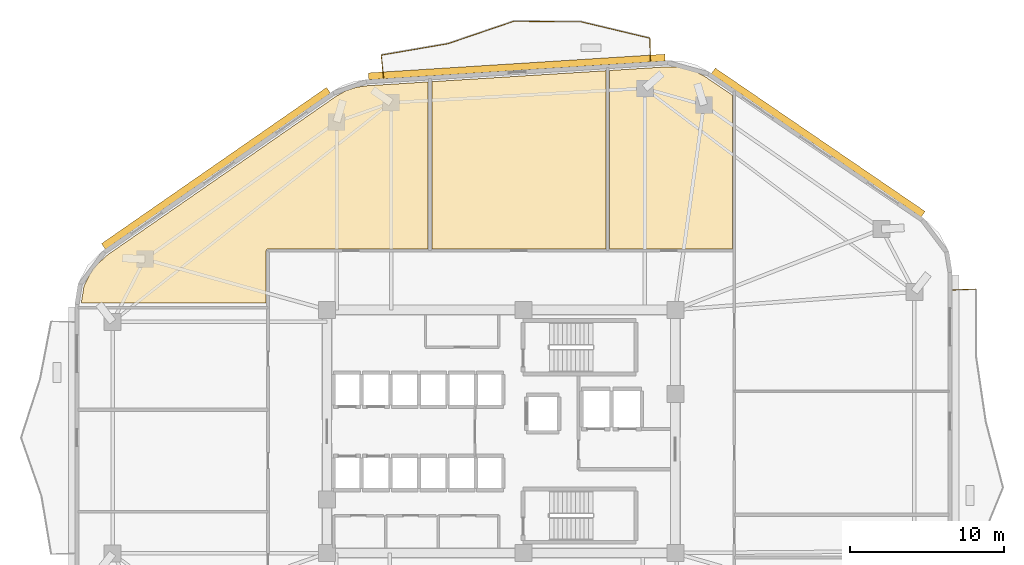
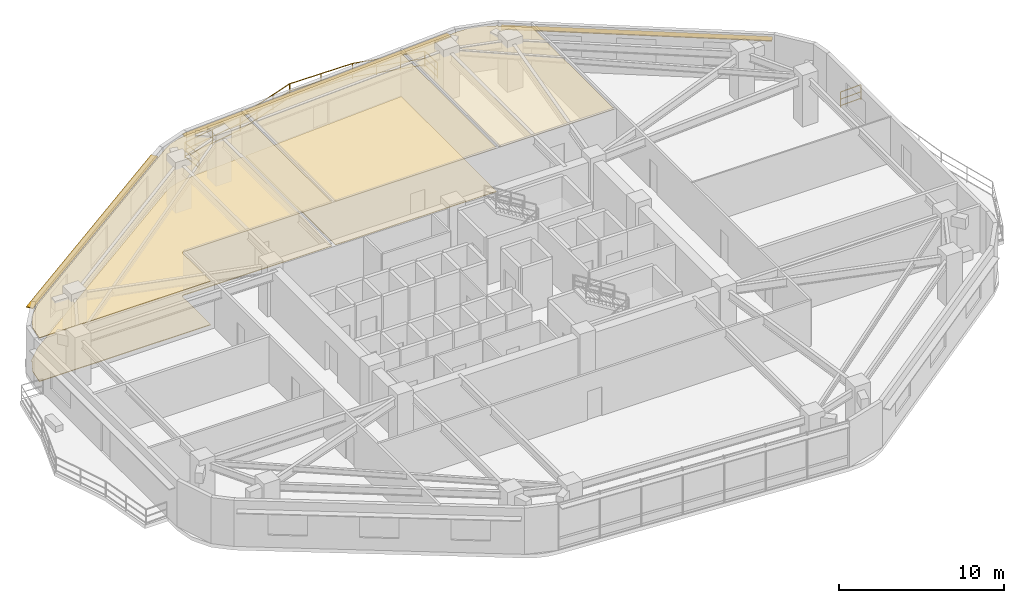
# One storey, part 12 of 12: 7 railings, 5 coverings, 3 shading devices.
"""IFC4 building model written with IfcOpenShell, lengths in metres."""

from ifc_helpers import new_model, si_unit, direction, frame, origin, origin_2d, place, context, subcontext, project, spatial, polyline, rectangle, outline, extrude, material, layer, layer_set, type_object, element, save


model = new_model("IFC4")

# Units and contexts
model_context = context("Model", 3, precision=1e-05, world=origin(), true_north=direction((0.0, 1.0)))
body_context = subcontext(model_context, "Body", "Model", "MODEL_VIEW")
ifc_project = project(units=[si_unit("LENGTHUNIT", "METRE"), si_unit("AREAUNIT", "SQUARE_METRE"), si_unit("VOLUMEUNIT", "CUBIC_METRE"), si_unit("PLANEANGLEUNIT", "RADIAN"), si_unit("MASSUNIT", "GRAM", prefix="KILO")], contexts=[model_context])

# Site, building, storey
site_placement = place(None, origin())
site = spatial("IfcSite", under=ifc_project, at=site_placement, CompositionType="ELEMENT")
building_placement = place(site_placement, origin())
building = spatial("IfcBuilding", under=site, at=building_placement, Name="Zulverin Broadcast Headquarters", CompositionType="ELEMENT")
storey_placement = place(building_placement, frame((0.0, 0.0, 116.199951171875)))
storey = spatial("IfcBuildingStorey", under=building, at=storey_placement, Name="L29", CompositionType="ELEMENT", Elevation=116.199951171875)

# Coverings
ifc_material_1 = material(Name="Perforated pale-metal acoustic baffle ceiling", Category="aluminium")
ifc_layer_1 = layer(ifc_material_1, 0.0400390625, Name="Perforated pale-metal acoustic baffle ceiling", Category="aluminium")
ifc_layer_set_1 = layer_set([ifc_layer_1], Name="Perforated pale-metal acoustic baffle ceiling")
covering_type_1 = type_object("IfcCoveringType", Name="COV-CEIL-ACOU", PredefinedType="CEILING", material=ifc_layer_set_1)
covering_1_placement = place(storey_placement, frame((0.0, 0.0, 3.219970703125)))
element("IfcCovering", 1, at=covering_1_placement, inside=storey, type_object=covering_type_1, Name="L29 Acoustic Baffle Ceiling 01", PredefinedType="CEILING", context=body_context, shape_type="SweptSolid", body=[
    extrude(outline(polyline([(11.4599609375, 36.587890625), (10.56005859375, 35.719970703125), (10.0, 34.64404296875), (9.81591796875, 33.5), (21.780029296875, 33.5), (21.780029296875, 36.867919921875), (21.780029296875, 36.8798828125), (21.783935546875, 36.89208984375), (21.783935546875, 36.89990234375), (21.7880859375, 36.912109375), (21.7919921875, 36.919921875), (21.7958984375, 36.927978515625), (21.800048828125, 36.93603515625), (21.80810546875, 36.947998046875), (21.81591796875, 36.9599609375), (21.823974609375, 36.968017578125), (21.83203125, 36.97607421875), (21.840087890625, 36.98388671875), (21.85205078125, 36.991943359375), (21.864013671875, 37.0), (21.8798828125, 37.008056640625), (21.887939453125, 37.011962890625), (21.89990234375, 37.01611328125), (21.907958984375, 37.01611328125), (21.919921875, 37.02001953125), (21.931884765625, 37.02001953125), (32.280029296875, 37.02001953125), (32.280029296875, 47.827880859375), (28.27587890625, 47.575927734375), (27.580078125, 47.468017578125), (26.927978515625, 47.243896484375), (26.31591796875, 46.89599609375), (11.4599609375, 36.587890625)])), origin(), (0.0, 0.0, 1.0), 0.0400390625),
])
covering_2_placement = place(storey_placement, frame((0.0, 0.0, 3.219970703125)))
element("IfcCovering", 2, at=covering_2_placement, inside=storey, type_object=covering_type_1, Name="L29 Acoustic Baffle Ceiling 02", PredefinedType="CEILING", context=body_context, shape_type="SweptSolid", body=[
    extrude(outline(polyline([(43.780029296875, 37.02001953125), (43.780029296875, 48.552001953125), (32.52001953125, 47.843994140625), (32.52001953125, 37.02001953125), (43.780029296875, 37.02001953125)])), origin(), (0.0, 0.0, 1.0), 0.0400390625),
])
covering_3_placement = place(storey_placement, frame((0.0, 0.0, 3.219970703125)))
element("IfcCovering", 3, at=covering_3_placement, inside=storey, type_object=covering_type_1, Name="L29 Acoustic Baffle Ceiling 03", PredefinedType="CEILING", context=body_context, shape_type="SweptSolid", body=[
    extrude(outline(polyline([(51.97998046875, 37.02001953125), (51.97998046875, 46.9599609375), (50.248046875, 48.139892578125), (49.491943359375, 48.548095703125), (48.68408203125, 48.76806640625), (47.823974609375, 48.80810546875), (44.02001953125, 48.568115234375), (44.02001953125, 37.02001953125), (51.97998046875, 37.02001953125)])), origin(), (0.0, 0.0, 1.0), 0.0400390625),
])
ifc_material_2 = material(Name="Anti-static broadcast raised access flooring", Category="stone")
ifc_layer_2 = layer(ifc_material_2, 0.050048828125, Name="Anti-static broadcast raised access flooring", Category="stone")
ifc_layer_set_2 = layer_set([ifc_layer_2], Name="Anti-static broadcast raised access flooring")
covering_type_2 = type_object("IfcCoveringType", Name="COV-FLR-RAISED", PredefinedType="FLOORING", material=ifc_layer_set_2)
covering_4_placement = place(storey_placement, origin())
element("IfcCovering", 4, at=covering_4_placement, inside=storey, type_object=covering_type_2, Name="L29 Broadcast Raised Access Flooring 01", PredefinedType="FLOORING", context=body_context, shape_type="SweptSolid", body=[
    extrude(outline(polyline([(11.4599609375, 36.587890625), (10.56005859375, 35.719970703125), (10.0, 34.64404296875), (9.81591796875, 33.5), (21.780029296875, 33.5), (21.780029296875, 36.867919921875), (21.780029296875, 36.8798828125), (21.783935546875, 36.89208984375), (21.783935546875, 36.89990234375), (21.7880859375, 36.912109375), (21.7919921875, 36.919921875), (21.7958984375, 36.927978515625), (21.800048828125, 36.93603515625), (21.80810546875, 36.947998046875), (21.81591796875, 36.9599609375), (21.823974609375, 36.968017578125), (21.83203125, 36.97607421875), (21.840087890625, 36.98388671875), (21.85205078125, 36.991943359375), (21.864013671875, 37.0), (21.8798828125, 37.008056640625), (21.887939453125, 37.011962890625), (21.89990234375, 37.01611328125), (21.907958984375, 37.01611328125), (21.919921875, 37.02001953125), (21.931884765625, 37.02001953125), (32.280029296875, 37.02001953125), (32.280029296875, 47.827880859375), (28.27587890625, 47.575927734375), (27.580078125, 47.468017578125), (26.927978515625, 47.243896484375), (26.31591796875, 46.89599609375), (11.4599609375, 36.587890625)])), origin(), (0.0, 0.0, 1.0), 0.050048828125),
])
covering_5_placement = place(storey_placement, origin())
element("IfcCovering", 5, at=covering_5_placement, inside=storey, type_object=covering_type_2, Name="L29 Broadcast Raised Access Flooring 02", PredefinedType="FLOORING", context=body_context, shape_type="SweptSolid", body=[
    extrude(outline(polyline([(43.780029296875, 37.02001953125), (43.780029296875, 48.552001953125), (32.52001953125, 47.843994140625), (32.52001953125, 37.02001953125), (43.780029296875, 37.02001953125)])), origin(), (0.0, 0.0, 1.0), 0.050048828125),
])

# Railings
ifc_material_3 = material(Name="Brushed stainless steel & laminated glass balustrade", Category="steel")
railing_type = type_object("IfcRailingType", Name="RL-GUARD-1150", PredefinedType="GUARDRAIL", material=ifc_material_3)
railing_1_placement = place(storey_placement, frame((67.705078125, 34.413818359375, 0.0)))
element("IfcRailing", 6, at=railing_1_placement, inside=storey, type_object=railing_type, Name="L29 Vertical-Forest Balcony Guardrail BAL_E Segment 06", PredefinedType="GUARDRAIL", context=body_context, shape_type="SweptSolid", body=[
    extrude(rectangle(XDim=0.048095703125, YDim=0.048095703125, at=origin_2d()), frame((0.0, 0.0, 1.1259765625), z_axis=(-0.999181155166, -0.040460093435, 0.0), x_axis=(0.040460093435, -0.999181155166, 0.0)), (0.0, 0.0, 1.0), 1.46630859375),
    extrude(rectangle(XDim=0.0419921875, YDim=0.0419921875, at=origin_2d()), frame((0.0, 0.0, 0.597900390625), z_axis=(-0.999181155166, -0.040460093435, 0.0), x_axis=(0.040460093435, -0.999181155166, 0.0)), (0.0, 0.0, 1.0), 1.46630859375),
    extrude(rectangle(XDim=0.0419921875, YDim=0.0419921875, at=origin_2d()), frame((0.0, 0.0, 0.1201171875), z_axis=(-0.999181155166, -0.040460093435, 0.0), x_axis=(0.040460093435, -0.999181155166, 0.0)), (0.0, 0.0, 1.0), 1.46630859375),
    extrude(rectangle(XDim=0.0419921875, YDim=0.0419921875, at=origin_2d()), origin(), (0.0, 0.0, 1.0), 1.101806640625),
    extrude(rectangle(XDim=0.0419921875, YDim=0.0419921875, at=origin_2d()), frame((-1.465087890625, -0.059326171875, 0.0)), (0.0, 0.0, 1.0), 1.101806640625),
])
railing_2_placement = place(storey_placement, frame((46.662841796875, 49.176025390625, 0.0)))
element("IfcRailing", 7, at=railing_2_placement, inside=storey, type_object=railing_type, Name="L29 Vertical-Forest Balcony Guardrail BAL_N Segment 01", PredefinedType="GUARDRAIL", context=body_context, shape_type="SweptSolid", body=[
    extrude(rectangle(XDim=0.048095703125, YDim=0.048095703125, at=origin_2d()), frame((0.0, 0.0, 1.1259765625), z_axis=(-0.022479328211, 0.999747307975, 0.0), x_axis=(-0.999747307975, -0.022479328211, 0.0)), (0.0, 0.0, 1.0), 1.46630859375),
    extrude(rectangle(XDim=0.0419921875, YDim=0.0419921875, at=origin_2d()), frame((0.0, 0.0, 0.597900390625), z_axis=(-0.022479328211, 0.999747307975, 0.0), x_axis=(-0.999747307975, -0.022479328211, 0.0)), (0.0, 0.0, 1.0), 1.46630859375),
    extrude(rectangle(XDim=0.0419921875, YDim=0.0419921875, at=origin_2d()), frame((0.0, 0.0, 0.1201171875), z_axis=(-0.022479328211, 0.999747307975, 0.0), x_axis=(-0.999747307975, -0.022479328211, 0.0)), (0.0, 0.0, 1.0), 1.46630859375),
    extrude(rectangle(XDim=0.0419921875, YDim=0.0419921875, at=origin_2d()), origin(), (0.0, 0.0, 1.0), 1.101806640625),
    extrude(rectangle(XDim=0.0419921875, YDim=0.0419921875, at=origin_2d()), frame((-0.032958984375, 1.4658203125, 0.0)), (0.0, 0.0, 1.0), 1.101806640625),
])
railing_3_placement = place(storey_placement, frame((46.614990234375, 50.660400390625, 0.0)))
element("IfcRailing", 8, at=railing_3_placement, inside=storey, type_object=railing_type, Name="L29 Vertical-Forest Balcony Guardrail BAL_N Segment 02", PredefinedType="GUARDRAIL", context=body_context, shape_type="SweptSolid", body=[
    extrude(rectangle(XDim=0.048095703125, YDim=0.048095703125, at=origin_2d()), frame((0.0, 0.0, 1.1259765625), z_axis=(-0.972763955958, 0.231797942158, 0.0), x_axis=(-0.231797942158, -0.972763955958, 0.0)), (0.0, 0.0, 1.0), 4.52685546875),
    extrude(rectangle(XDim=0.0419921875, YDim=0.0419921875, at=origin_2d()), frame((0.0, 0.0, 0.597900390625), z_axis=(-0.972763955958, 0.231797942158, 0.0), x_axis=(-0.231797942158, -0.972763955958, 0.0)), (0.0, 0.0, 1.0), 4.52685546875),
    extrude(rectangle(XDim=0.0419921875, YDim=0.0419921875, at=origin_2d()), frame((0.0, 0.0, 0.1201171875), z_axis=(-0.972763955958, 0.231797942158, 0.0), x_axis=(-0.231797942158, -0.972763955958, 0.0)), (0.0, 0.0, 1.0), 4.52685546875),
    extrude(rectangle(XDim=0.0419921875, YDim=0.0419921875, at=origin_2d()), origin(), (0.0, 0.0, 1.0), 1.101806640625),
    extrude(rectangle(XDim=0.0419921875, YDim=0.0419921875, at=origin_2d()), frame((-1.4677734375, 0.349853515625, 0.0)), (0.0, 0.0, 1.0), 1.101806640625),
    extrude(rectangle(XDim=0.0419921875, YDim=0.0419921875, at=origin_2d()), frame((-2.935791015625, 0.699462890625, 0.0)), (0.0, 0.0, 1.0), 1.101806640625),
    extrude(rectangle(XDim=0.0419921875, YDim=0.0419921875, at=origin_2d()), frame((-4.403564453125, 1.04931640625, 0.0)), (0.0, 0.0, 1.0), 1.101806640625),
])
railing_4_placement = place(storey_placement, frame((42.181884765625, 51.713134765625, 0.0)))
element("IfcRailing", 9, at=railing_4_placement, inside=storey, type_object=railing_type, Name="L29 Vertical-Forest Balcony Guardrail BAL_N Segment 03", PredefinedType="GUARDRAIL", context=body_context, shape_type="SweptSolid", body=[
    extrude(rectangle(XDim=0.048095703125, YDim=0.048095703125, at=origin_2d()), frame((0.0, 0.0, 1.1259765625), z_axis=(-0.99995316477, 0.009678236697, 0.0), x_axis=(-0.009678236697, -0.99995316477, 0.0)), (0.0, 0.0, 1.0), 4.3388671875),
    extrude(rectangle(XDim=0.0419921875, YDim=0.0419921875, at=origin_2d()), frame((0.0, 0.0, 0.597900390625), z_axis=(-0.99995316477, 0.009678236697, 0.0), x_axis=(-0.009678236697, -0.99995316477, 0.0)), (0.0, 0.0, 1.0), 4.3388671875),
    extrude(rectangle(XDim=0.0419921875, YDim=0.0419921875, at=origin_2d()), frame((0.0, 0.0, 0.1201171875), z_axis=(-0.99995316477, 0.009678236697, 0.0), x_axis=(-0.009678236697, -0.99995316477, 0.0)), (0.0, 0.0, 1.0), 4.3388671875),
    extrude(rectangle(XDim=0.0419921875, YDim=0.0419921875, at=origin_2d()), origin(), (0.0, 0.0, 1.0), 1.101806640625),
    extrude(rectangle(XDim=0.0419921875, YDim=0.0419921875, at=origin_2d()), frame((-2.16943359375, 0.02099609375, 0.0)), (0.0, 0.0, 1.0), 1.101806640625),
    extrude(rectangle(XDim=0.0419921875, YDim=0.0419921875, at=origin_2d()), frame((-4.338623046875, 0.0419921875, 0.0)), (0.0, 0.0, 1.0), 1.101806640625),
])
railing_5_placement = place(storey_placement, frame((37.81396484375, 51.75048828125, 0.0)))
element("IfcRailing", 10, at=railing_5_placement, inside=storey, type_object=railing_type, Name="L29 Vertical-Forest Balcony Guardrail BAL_N Segment 04", PredefinedType="GUARDRAIL", context=body_context, shape_type="SweptSolid", body=[
    extrude(rectangle(XDim=0.048095703125, YDim=0.048095703125, at=origin_2d()), frame((0.0, 0.0, 1.1259765625), z_axis=(-0.946638952718, -0.322295971425, 0.0), x_axis=(0.322295971425, -0.946638952718, 0.0)), (0.0, 0.0, 1.0), 4.485107421875),
    extrude(rectangle(XDim=0.0419921875, YDim=0.0419921875, at=origin_2d()), frame((0.0, 0.0, 0.597900390625), z_axis=(-0.946638952718, -0.322295971425, 0.0), x_axis=(0.322295971425, -0.946638952718, 0.0)), (0.0, 0.0, 1.0), 4.485107421875),
    extrude(rectangle(XDim=0.0419921875, YDim=0.0419921875, at=origin_2d()), frame((0.0, 0.0, 0.1201171875), z_axis=(-0.946638952718, -0.322295971425, 0.0), x_axis=(0.322295971425, -0.946638952718, 0.0)), (0.0, 0.0, 1.0), 4.485107421875),
    extrude(rectangle(XDim=0.0419921875, YDim=0.0419921875, at=origin_2d()), origin(), (0.0, 0.0, 1.0), 1.101806640625),
    extrude(rectangle(XDim=0.0419921875, YDim=0.0419921875, at=origin_2d()), frame((-1.415283203125, -0.48193359375, 0.0)), (0.0, 0.0, 1.0), 1.101806640625),
    extrude(rectangle(XDim=0.0419921875, YDim=0.0419921875, at=origin_2d()), frame((-2.83056640625, -0.963623046875, 0.0)), (0.0, 0.0, 1.0), 1.101806640625),
    extrude(rectangle(XDim=0.0419921875, YDim=0.0419921875, at=origin_2d()), frame((-4.245849609375, -1.445556640625, 0.0)), (0.0, 0.0, 1.0), 1.101806640625),
])
railing_6_placement = place(storey_placement, frame((33.5390625, 50.297607421875, 0.0)))
element("IfcRailing", 11, at=railing_6_placement, inside=storey, type_object=railing_type, Name="L29 Vertical-Forest Balcony Guardrail BAL_N Segment 05", PredefinedType="GUARDRAIL", context=body_context, shape_type="SweptSolid", body=[
    extrude(rectangle(XDim=0.048095703125, YDim=0.048095703125, at=origin_2d()), frame((0.0, 0.0, 1.1259765625), z_axis=(-0.985633195808, -0.168899980228, 0.0), x_axis=(0.168899980228, -0.985633195808, 0.0)), (0.0, 0.0, 1.0), 4.352294921875),
    extrude(rectangle(XDim=0.0419921875, YDim=0.0419921875, at=origin_2d()), frame((0.0, 0.0, 0.597900390625), z_axis=(-0.985633195808, -0.168899980228, 0.0), x_axis=(0.168899980228, -0.985633195808, 0.0)), (0.0, 0.0, 1.0), 4.352294921875),
    extrude(rectangle(XDim=0.0419921875, YDim=0.0419921875, at=origin_2d()), frame((0.0, 0.0, 0.1201171875), z_axis=(-0.985633195808, -0.168899980228, 0.0), x_axis=(0.168899980228, -0.985633195808, 0.0)), (0.0, 0.0, 1.0), 4.352294921875),
    extrude(rectangle(XDim=0.0419921875, YDim=0.0419921875, at=origin_2d()), origin(), (0.0, 0.0, 1.0), 1.101806640625),
    extrude(rectangle(XDim=0.0419921875, YDim=0.0419921875, at=origin_2d()), frame((-2.14501953125, -0.36767578125, 0.0)), (0.0, 0.0, 1.0), 1.101806640625),
    extrude(rectangle(XDim=0.0419921875, YDim=0.0419921875, at=origin_2d()), frame((-4.289794921875, -0.735107421875, 0.0)), (0.0, 0.0, 1.0), 1.101806640625),
])
railing_7_placement = place(storey_placement, frame((29.236083984375, 49.545166015625, 0.0)))
element("IfcRailing", 12, at=railing_7_placement, inside=storey, type_object=railing_type, Name="L29 Vertical-Forest Balcony Guardrail BAL_N Segment 06", PredefinedType="GUARDRAIL", context=body_context, shape_type="SweptSolid", body=[
    extrude(rectangle(XDim=0.048095703125, YDim=0.048095703125, at=origin_2d()), frame((0.0, 0.0, 1.1259765625), z_axis=(0.103393334431, -0.994640547331, 0.0), x_axis=(0.994640547331, 0.103393334431, 0.0)), (0.0, 0.0, 1.0), 1.46630859375),
    extrude(rectangle(XDim=0.0419921875, YDim=0.0419921875, at=origin_2d()), frame((0.0, 0.0, 0.597900390625), z_axis=(0.103393334431, -0.994640547331, 0.0), x_axis=(0.994640547331, 0.103393334431, 0.0)), (0.0, 0.0, 1.0), 1.46630859375),
    extrude(rectangle(XDim=0.0419921875, YDim=0.0419921875, at=origin_2d()), frame((0.0, 0.0, 0.1201171875), z_axis=(0.103393334431, -0.994640547331, 0.0), x_axis=(0.994640547331, 0.103393334431, 0.0)), (0.0, 0.0, 1.0), 1.46630859375),
    extrude(rectangle(XDim=0.0419921875, YDim=0.0419921875, at=origin_2d()), origin(), (0.0, 0.0, 1.0), 1.101806640625),
    extrude(rectangle(XDim=0.0419921875, YDim=0.0419921875, at=origin_2d()), frame((0.151611328125, -1.45849609375, 0.0)), (0.0, 0.0, 1.0), 1.101806640625),
])

# Shading devices
ifc_material_4 = material(Name="Anodized pale-metal aluminium sunshade", Category="aluminium")
ifc_layer_3 = layer(ifc_material_4, 0.06005859375, Name="Anodized pale-metal aluminium sunshade", Category="aluminium")
ifc_layer_set_3 = layer_set([ifc_layer_3], Name="Anodized pale-metal aluminium sunshade")
shading_device_type = type_object("IfcShadingDeviceType", Name="SS-01_PALE_METAL_ALUMINIUM_SUNSHADE", PredefinedType="USERDEFINED", material=ifc_layer_set_3)
shading_device_1_placement = place(storey_placement, frame((57.525390625, 43.8994140625, 2.7099609375), z_axis=(0.0, 0.0, 1.0), x_axis=(-0.825756855157, 0.564026254851, 0.0)))
element("IfcShadingDevice", 13, at=shading_device_1_placement, inside=storey, type_object=shading_device_type, Name="L29 Horizontal Pale-Metal Sunshade Band 4", ObjectType="SUNSHADE", PredefinedType="USERDEFINED", context=body_context, shape_type="SweptSolid", body=[
    extrude(rectangle(XDim=16.4482421875, YDim=0.449951171875, at=origin_2d()), origin(), (0.0, 0.0, 1.0), 0.06005859375),
])
shading_device_2_placement = place(storey_placement, frame((38.01513671875, 48.791015625, 2.7099609375), z_axis=(0.0, 0.0, 1.0), x_axis=(-0.998017621976, -0.062935095345, 0.0)))
element("IfcShadingDevice", 14, at=shading_device_2_placement, inside=storey, type_object=shading_device_type, Name="L29 Horizontal Pale-Metal Sunshade Band 5", ObjectType="SUNSHADE", PredefinedType="USERDEFINED", context=body_context, shape_type="SweptSolid", body=[
    extrude(rectangle(XDim=19.2294921875, YDim=0.449951171875, at=origin_2d()), origin(), (0.0, 0.0, 1.0), 0.06005859375),
])
shading_device_3_placement = place(storey_placement, frame((18.539794921875, 42.22802734375, 2.7099609375), z_axis=(0.0, 0.0, 1.0), x_axis=(-0.821556397865, -0.57012725345, 0.0)))
element("IfcShadingDevice", 15, at=shading_device_3_placement, inside=storey, type_object=shading_device_type, Name="L29 Horizontal Pale-Metal Sunshade Band 6", ObjectType="SUNSHADE", PredefinedType="USERDEFINED", context=body_context, shape_type="SweptSolid", body=[
    extrude(rectangle(XDim=17.732421875, YDim=0.449951171875, at=origin_2d()), origin(), (0.0, 0.0, 1.0), 0.06005859375),
])

save(model, "model.ifc")
